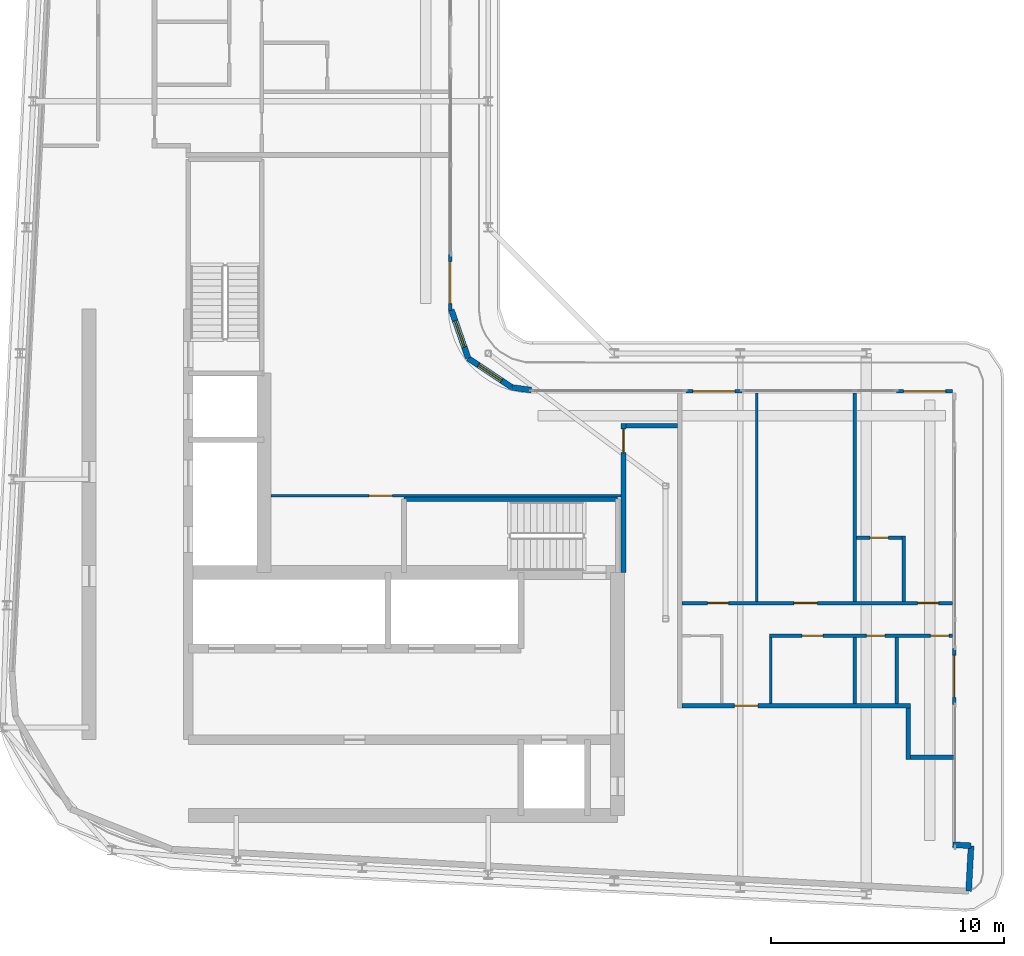
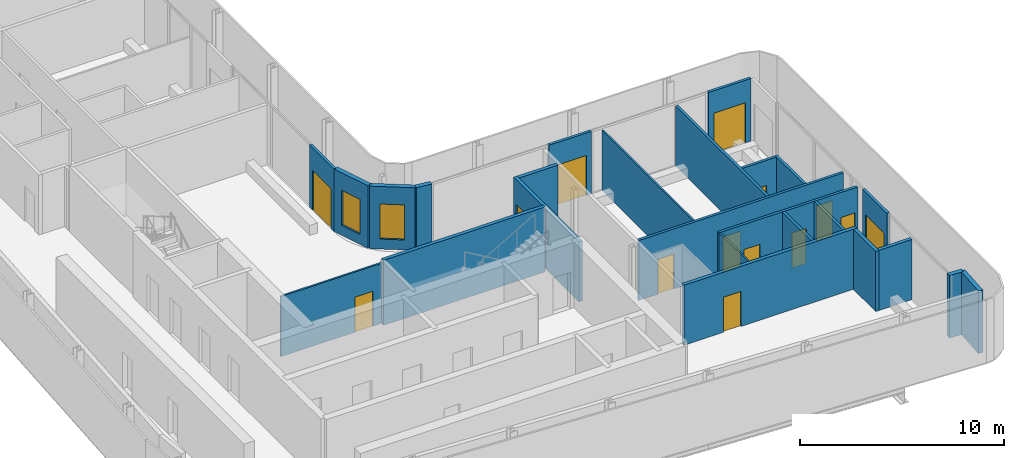
# One storey, part 12 of 21: 25 walls, 14 doors, 2 windows, 16 openings.
"""IFC4 building model written with IfcOpenShell, lengths in metres."""

from ifc_helpers import new_model, si_unit, direction, frame, frame_2d, origin, place, context, subcontext, project, spatial, rectangle, extrude, source, transform, mapped, material, layer, layer_set, type_object, element, fill, save


model = new_model("IFC4")

# Units and contexts
model_context = context("Model", 3, precision=1e-05, world=origin(), true_north=direction((0.0, 1.0)))
body_context = subcontext(model_context, "Body", "Model", "MODEL_VIEW")
ifc_project = project(units=[si_unit("LENGTHUNIT", "METRE"), si_unit("AREAUNIT", "SQUARE_METRE"), si_unit("VOLUMEUNIT", "CUBIC_METRE"), si_unit("PLANEANGLEUNIT", "RADIAN"), si_unit("MASSUNIT", "GRAM", prefix="KILO")], contexts=[model_context])

# Site, building, storey
site_placement = place(None, origin())
site = spatial("IfcSite", under=ifc_project, at=site_placement, CompositionType="ELEMENT")
building_placement = place(site_placement, origin())
building = spatial("IfcBuilding", under=site, at=building_placement, Name="Kheshtan School and Residences Tower", CompositionType="ELEMENT")
storey_placement = place(building_placement, frame((0.0, 0.0, 302.0)))
storey = spatial("IfcBuildingStorey", under=building, at=storey_placement, Name="L71", CompositionType="ELEMENT", Elevation=302.0)

# Wall, opening, door
ifc_material_1 = material(Name="Gypsum board on steel studs with fire boards", Category="steel")
ifc_layer_1 = layer(ifc_material_1, 0.199951171875)
ifc_layer_set_1 = layer_set([ifc_layer_1], Name="Corridor wall 200")
wall_type_1 = type_object("IfcWallType", Name="Corridor wall 200", PredefinedType="PARTITIONING", material=ifc_layer_set_1)
wall_1_placement = place(storey_placement, frame((53.39990234375, 36.198974609375, 0.0), z_axis=(0.0, 0.0, 1.0), x_axis=(0.0, 1.0, 0.0)))
wall_1 = element("IfcWall", 1, at=wall_1_placement, inside=storey, type_object=wall_type_1, Name="Partition L71-040", PredefinedType="PARTITIONING", context=body_context, shape_type="SweptSolid", body=[
    extrude(rectangle(XDim=6.401123046875, YDim=0.199951171875, at=frame_2d((3.20068359375, 0.0))), origin(), (0.0, 0.0, 1.0), 3.60009765625),
])
opening_1_placement = place(wall_1_placement, frame((5.15087890625, 0.0, 0.0)))
opening_1 = element("IfcOpeningElement", 2, at=opening_1_placement, cuts=wall_1, Name="Opening D70-037", PredefinedType="OPENING", context=body_context, shape_type="SweptSolid", body=[
    extrude(rectangle(XDim=1.0, YDim=2.10009765625, at=frame_2d((0.5, 1.050048828125))), frame((0.0, 0.10986328125, 0.0), z_axis=(0.0, -1.0, 0.0), x_axis=(1.0, 0.0, 0.0)), (0.0, 0.0, 1.0), 0.219970703125),
])
ifc_material_2 = material(Name="Steel-framed fire-resisting door leaf", Category="steel")
door_type_1 = type_object("IfcDoorType", Name="Fire door FD60 1000 x 2100", OperationType="SINGLE_SWING_LEFT", PredefinedType="DOOR", material=ifc_material_2)
shared_shape_1 = source(origin(), body_context, "Body", "SweptSolid", [
    extrude(rectangle(XDim=1.0, YDim=2.10009765625, at=frame_2d((0.5, 1.050048828125))), frame((0.0, 0.02490234375, 0.0), z_axis=(0.0, -1.0, 0.0), x_axis=(1.0, 0.0, 0.0)), (0.0, 0.0, 1.0), 0.050048828125),
])
door_1_placement = place(opening_1_placement, origin())
door_1 = element("IfcDoor", 3, at=door_1_placement, inside=storey, type_object=door_type_1, Name="Door D70-037", OperationType="SINGLE_SWING_LEFT", OverallHeight=2.10009765625, OverallWidth=1.0, PredefinedType="DOOR", context=body_context, shape_type="MappedRepresentation", body=[
    mapped(shared_shape_1, transform((0.0, 0.0, 0.0), x_axis=(1.0, 0.0, 0.0), y_axis=(0.0, 1.0, 0.0), z_axis=(0.0, 0.0, 1.0), scale=1.0)),
])
fill(opening_1, door_1)

# Wall
wall_2_placement = place(storey_placement, frame((53.5, 42.5, 0.0), z_axis=(0.0, 0.0, 1.0), x_axis=(1.0, 0.0, 0.0)))
element("IfcWall", 4, at=wall_2_placement, inside=storey, type_object=wall_type_1, Name="Partition L71-041", PredefinedType="PARTITIONING", context=body_context, shape_type="SweptSolid", body=[
    extrude(rectangle(XDim=2.199951171875, YDim=0.199951171875, at=frame_2d((1.10009765625, 0.0))), origin(), (0.0, 0.0, 1.0), 3.60009765625),
])

# Wall, opening, door
wall_3_placement = place(storey_placement, frame((55.89990234375, 30.5, 0.0), z_axis=(0.0, 0.0, 1.0), x_axis=(1.0, 0.0, 0.0)))
wall_3 = element("IfcWall", 5, at=wall_3_placement, inside=storey, type_object=wall_type_1, Name="Partition L71-043", PredefinedType="PARTITIONING", context=body_context, shape_type="SweptSolid", body=[
    extrude(rectangle(XDim=9.800048828125, YDim=0.199951171875, at=frame_2d((4.89990234375, 0.0))), origin(), (0.0, 0.0, 1.0), 3.60009765625),
])
opening_2_placement = place(wall_3_placement, frame((2.25, 0.0, 0.0)))
opening_2 = element("IfcOpeningElement", 6, at=opening_2_placement, cuts=wall_3, Name="Opening D70-004", PredefinedType="OPENING", context=body_context, shape_type="SweptSolid", body=[
    extrude(rectangle(XDim=1.0, YDim=2.10009765625, at=frame_2d((0.5, 1.050048828125))), frame((0.0, 0.10986328125, 0.0), z_axis=(0.0, -1.0, 0.0), x_axis=(1.0, 0.0, 0.0)), (0.0, 0.0, 1.0), 0.219970703125),
])
door_type_2 = type_object("IfcDoorType", Name="Fire door FD30S 1000 x 2100", OperationType="SINGLE_SWING_LEFT", PredefinedType="DOOR", material=ifc_material_2)
shared_shape_2 = source(origin(), body_context, "Body", "SweptSolid", [
    extrude(rectangle(XDim=1.0, YDim=2.10009765625, at=frame_2d((0.5, 1.050048828125))), frame((0.0, 0.02490234375, 0.0), z_axis=(0.0, -1.0, 0.0), x_axis=(1.0, 0.0, 0.0)), (0.0, 0.0, 1.0), 0.050048828125),
])
door_2_placement = place(opening_2_placement, origin())
door_2 = element("IfcDoor", 7, at=door_2_placement, inside=storey, type_object=door_type_2, Name="Door D70-004", OperationType="SINGLE_SWING_RIGHT", OverallHeight=2.10009765625, OverallWidth=1.0, PredefinedType="DOOR", context=body_context, shape_type="MappedRepresentation", body=[
    mapped(shared_shape_2, transform((0.0, 0.0, 0.0), x_axis=(1.0, 0.0, 0.0), y_axis=(0.0, 1.0, 0.0), z_axis=(0.0, 0.0, 1.0), scale=1.0)),
])
fill(opening_2, door_2)

# Walls
wall_4_placement = place(storey_placement, frame((65.60009765625, 28.199951171875, 0.0), z_axis=(0.0, 0.0, 1.0), x_axis=(0.0, 1.0, 0.0)))
element("IfcWall", 8, at=wall_4_placement, inside=storey, type_object=wall_type_1, Name="Partition L71-055", PredefinedType="PARTITIONING", context=body_context, shape_type="SweptSolid", body=[
    extrude(rectangle(XDim=2.199951171875, YDim=0.199951171875, at=frame_2d((1.10009765625, 0.0))), origin(), (0.0, 0.0, 1.0), 3.60009765625),
])
wall_5_placement = place(storey_placement, frame((65.699951171875, 28.300048828125, 0.0), z_axis=(0.0, 0.0, 1.0), x_axis=(1.0, 0.0, 0.0)))
element("IfcWall", 9, at=wall_5_placement, inside=storey, type_object=wall_type_1, Name="Partition L71-056", PredefinedType="PARTITIONING", context=body_context, shape_type="SweptSolid", body=[
    extrude(rectangle(XDim=1.8701171875, YDim=0.199951171875, at=frame_2d((0.93505859375, 0.0))), origin(), (0.0, 0.0, 1.0), 3.60009765625),
])

# Wall, opening, window
ifc_material_3 = material(Name="Concrete C40/50 with ceramic cladding and mineral wool insulation", Category="concrete")
ifc_layer_2 = layer(ifc_material_3, 0.25)
ifc_layer_set_2 = layer_set([ifc_layer_2], Name="External wall 250 ceramic clad")
wall_type_2 = type_object("IfcWallType", Name="External wall 250 ceramic clad", PredefinedType="SOLIDWALL", material=ifc_layer_set_2)
wall_6_placement = place(storey_placement, frame((46.01806640625, 47.470947265625, 0.0), z_axis=(0.0, 0.0, 1.0), x_axis=(0.328791208903, -0.944402637093, 0.0)))
wall_6 = element("IfcWall", 10, at=wall_6_placement, inside=storey, type_object=wall_type_2, Name="External wall L71 9", PredefinedType="SOLIDWALL", context=body_context, shape_type="SweptSolid", body=[
    extrude(rectangle(XDim=2.20458984375, YDim=0.25, at=frame_2d((1.102294921875, 0.0))), origin(), (0.0, 0.0, 1.0), 3.75),
])
opening_3_placement = place(wall_6_placement, frame((0.5029296875, 0.0, 0.60009765625)))
opening_3 = element("IfcOpeningElement", 11, at=opening_3_placement, cuts=wall_6, Name="Opening WN-E", PredefinedType="OPENING", context=body_context, shape_type="SweptSolid", body=[
    extrude(rectangle(XDim=1.199951171875, YDim=2.10009765625, at=frame_2d((0.60009765625, 1.050048828125))), frame((0.0, 0.135009765625, 0.0), z_axis=(0.0, -1.0, 0.0), x_axis=(1.0, 0.0, 0.0)), (0.0, 0.0, 1.0), 0.27001953125),
])
ifc_material_4 = material(Name="Clear low-e glass in thermally broken aluminium frame", Category="aluminium")
window_type = type_object("IfcWindowType", Name="Window WN-E", PartitioningType="SINGLE_PANEL", PredefinedType="WINDOW", material=ifc_material_4)
shared_shape_3 = source(origin(), body_context, "Body", "SweptSolid", [
    extrude(rectangle(XDim=1.199951171875, YDim=2.10009765625, at=frame_2d((0.60009765625, 1.050048828125))), frame((0.0, 0.030029296875, 0.0), z_axis=(0.0, -1.0, 0.0), x_axis=(1.0, 0.0, 0.0)), (0.0, 0.0, 1.0), 0.06005859375),
])
window_1_placement = place(opening_3_placement, origin())
window_1 = element("IfcWindow", 12, at=window_1_placement, inside=storey, type_object=window_type, Name="Window L71 9", OverallHeight=2.10009765625, OverallWidth=1.199951171875, PartitioningType="SINGLE_PANEL", PredefinedType="WINDOW", context=body_context, shape_type="MappedRepresentation", body=[
    mapped(shared_shape_3, transform((0.0, 0.0, 0.0), x_axis=(1.0, 0.0, 0.0), y_axis=(0.0, 1.0, 0.0), z_axis=(0.0, 0.0, 1.0), scale=1.0)),
])
fill(opening_3, window_1)

wall_7_placement = place(storey_placement, frame((46.742919921875, 45.388916015625, 0.0), z_axis=(0.0, 0.0, 1.0), x_axis=(0.831449265529, -0.555600682912, 0.0)))
wall_7 = element("IfcWall", 13, at=wall_7_placement, inside=storey, type_object=wall_type_2, Name="External wall L71 10", PredefinedType="SOLIDWALL", context=body_context, shape_type="SweptSolid", body=[
    extrude(rectangle(XDim=2.25146484375, YDim=0.25, at=frame_2d((1.125732421875, 0.0))), origin(), (0.0, 0.0, 1.0), 3.75),
])
opening_4_placement = place(wall_7_placement, frame((0.52490234375, 0.0, 0.60009765625)))
opening_4 = element("IfcOpeningElement", 14, at=opening_4_placement, cuts=wall_7, Name="Opening WN-E", PredefinedType="OPENING", context=body_context, shape_type="SweptSolid", body=[
    extrude(rectangle(XDim=1.199951171875, YDim=2.10009765625, at=frame_2d((0.60009765625, 1.050048828125))), frame((0.0, 0.135009765625, 0.0), z_axis=(0.0, -1.0, 0.0), x_axis=(1.0, 0.0, 0.0)), (0.0, 0.0, 1.0), 0.27001953125),
])
window_2_placement = place(opening_4_placement, origin())
window_2 = element("IfcWindow", 15, at=window_2_placement, inside=storey, type_object=window_type, Name="Window L71 10", OverallHeight=2.10009765625, OverallWidth=1.199951171875, PartitioningType="SINGLE_PANEL", PredefinedType="WINDOW", context=body_context, shape_type="MappedRepresentation", body=[
    mapped(shared_shape_3, transform((0.0, 0.0, 0.0), x_axis=(1.0, 0.0, 0.0), y_axis=(0.0, 1.0, 0.0), z_axis=(0.0, 0.0, 1.0), scale=1.0)),
])
fill(opening_4, window_2)

# Walls
wall_8_placement = place(storey_placement, frame((48.614990234375, 44.137939453125, 0.0), z_axis=(0.0, 0.0, 1.0), x_axis=(0.990741504246, -0.135761819977, 0.0)))
element("IfcWall", 16, at=wall_8_placement, inside=storey, type_object=wall_type_2, Name="External wall L71 11", PredefinedType="SOLIDWALL", context=body_context, shape_type="SweptSolid", body=[
    extrude(rectangle(XDim=0.83984375, YDim=0.25, at=frame_2d((0.419921875, 0.0))), origin(), (0.0, 0.0, 1.0), 3.75),
])
wall_9_placement = place(storey_placement, frame((67.507080078125, 24.5439453125, 0.0), z_axis=(0.0, 0.0, 1.0), x_axis=(0.998561284263, -0.053622398031, 0.0)))
element("IfcWall", 17, at=wall_9_placement, inside=storey, type_object=wall_type_2, Name="External wall L71 14", PredefinedType="SOLIDWALL", context=body_context, shape_type="SweptSolid", body=[
    extrude(rectangle(XDim=0.783203125, YDim=0.25, at=frame_2d((0.3916015625, 0.0))), origin(), (0.0, 0.0, 1.0), 3.75),
])
wall_10_placement = place(storey_placement, frame((68.2890625, 24.501953125, 0.0), z_axis=(0.0, 0.0, 1.0), x_axis=(-0.052841433274, -0.998602915542, 0.0)))
element("IfcWall", 18, at=wall_10_placement, inside=storey, type_object=wall_type_2, Name="External wall L71 15", PredefinedType="SOLIDWALL", context=body_context, shape_type="SweptSolid", body=[
    extrude(rectangle(XDim=1.94970703125, YDim=0.25, at=frame_2d((0.974853515625, 0.0))), origin(), (0.0, 0.0, 1.0), 3.75),
])

# Wall, opening, door
ifc_material_5 = material(Name="Aluminium frame wall with insulated infill", Category="aluminium")
ifc_layer_3 = layer(ifc_material_5, 0.14990234375)
ifc_layer_set_3 = layer_set([ifc_layer_3], Name="Glazing frame wall 150")
wall_type_3 = type_object("IfcWallType", Name="Glazing frame wall 150", PredefinedType="SOLIDWALL", material=ifc_layer_set_3)
wall_11_placement = place(storey_placement, frame((45.97509765625, 49.830078125, 0.0), z_axis=(0.0, 0.0, 1.0), x_axis=(0.0, -1.0, 0.0)))
wall_11 = element("IfcWall", 19, at=wall_11_placement, inside=storey, type_object=wall_type_3, Name="Balcony door wall L71 8.5", PredefinedType="SOLIDWALL", context=body_context, shape_type="SweptSolid", body=[
    extrude(rectangle(XDim=2.400146484375, YDim=0.14990234375, at=frame_2d((1.2001953125, 0.0))), origin(), (0.0, 0.0, 1.0), 3.75),
])
opening_5_placement = place(wall_11_placement, frame((0.300048828125, 0.0, 0.0)))
opening_5 = element("IfcOpeningElement", 20, at=opening_5_placement, cuts=wall_11, Name="Opening BD", PredefinedType="OPENING", context=body_context, shape_type="SweptSolid", body=[
    extrude(rectangle(XDim=1.800048828125, YDim=2.39990234375, at=frame_2d((0.89990234375, 1.199951171875))), frame((0.0, 0.0849609375, 0.0), z_axis=(0.0, -1.0, 0.0), x_axis=(1.0, 0.0, 0.0)), (0.0, 0.0, 1.0), 0.169921875),
])
door_type_3 = type_object("IfcDoorType", Name="Balcony sliding door", OperationType="SLIDING_TO_LEFT", PredefinedType="DOOR", material=ifc_material_4)
shared_shape_4 = source(origin(), body_context, "Body", "SweptSolid", [
    extrude(rectangle(XDim=1.800048828125, YDim=2.39990234375, at=frame_2d((0.89990234375, 1.199951171875))), frame((0.0, 0.02490234375, 0.0), z_axis=(0.0, -1.0, 0.0), x_axis=(1.0, 0.0, 0.0)), (0.0, 0.0, 1.0), 0.050048828125),
])
door_3_placement = place(opening_5_placement, origin())
door_3 = element("IfcDoor", 21, at=door_3_placement, inside=storey, type_object=door_type_3, Name="Balcony door L71 8.5", OperationType="SLIDING_TO_LEFT", OverallHeight=2.39990234375, OverallWidth=1.800048828125, PredefinedType="DOOR", context=body_context, shape_type="MappedRepresentation", body=[
    mapped(shared_shape_4, transform((0.0, 0.0, 0.0), x_axis=(1.0, 0.0, 0.0), y_axis=(0.0, 1.0, 0.0), z_axis=(0.0, 0.0, 1.0), scale=1.0)),
])
fill(opening_5, door_3)

wall_12_placement = place(storey_placement, frame((56.06494140625, 43.97509765625, 0.0), z_axis=(0.0, 0.0, 1.0), x_axis=(1.0, 0.0, 0.0)))
wall_12 = element("IfcWall", 22, at=wall_12_placement, inside=storey, type_object=wall_type_3, Name="Balcony door wall L71 12.1", PredefinedType="SOLIDWALL", context=body_context, shape_type="SweptSolid", body=[
    extrude(rectangle(XDim=2.400146484375, YDim=0.14990234375, at=frame_2d((1.2001953125, 0.0))), origin(), (0.0, 0.0, 1.0), 3.75),
])
opening_6_placement = place(wall_12_placement, frame((0.300048828125, 0.0, 0.0)))
opening_6 = element("IfcOpeningElement", 23, at=opening_6_placement, cuts=wall_12, Name="Opening BD", PredefinedType="OPENING", context=body_context, shape_type="SweptSolid", body=[
    extrude(rectangle(XDim=1.800048828125, YDim=2.39990234375, at=frame_2d((0.89990234375, 1.199951171875))), frame((0.0, 0.0849609375, 0.0), z_axis=(0.0, -1.0, 0.0), x_axis=(1.0, 0.0, 0.0)), (0.0, 0.0, 1.0), 0.169921875),
])
door_4_placement = place(opening_6_placement, origin())
door_4 = element("IfcDoor", 24, at=door_4_placement, inside=storey, type_object=door_type_3, Name="Balcony door L71 12.1", OperationType="SLIDING_TO_LEFT", OverallHeight=2.39990234375, OverallWidth=1.800048828125, PredefinedType="DOOR", context=body_context, shape_type="MappedRepresentation", body=[
    mapped(shared_shape_4, transform((0.0, 0.0, 0.0), x_axis=(1.0, 0.0, 0.0), y_axis=(0.0, 1.0, 0.0), z_axis=(0.0, 0.0, 1.0), scale=1.0)),
])
fill(opening_6, door_4)

wall_13_placement = place(storey_placement, frame((65.10009765625, 43.97509765625, 0.0), z_axis=(0.0, 0.0, 1.0), x_axis=(1.0, 0.0, 0.0)))
wall_13 = element("IfcWall", 25, at=wall_13_placement, inside=storey, type_object=wall_type_3, Name="Balcony door wall L71 12.2", PredefinedType="SOLIDWALL", context=body_context, shape_type="SweptSolid", body=[
    extrude(rectangle(XDim=2.39990234375, YDim=0.14990234375, at=frame_2d((1.199951171875, 0.0))), origin(), (0.0, 0.0, 1.0), 3.75),
])
opening_7_placement = place(wall_13_placement, frame((0.300048828125, 0.0, 0.0)))
opening_7 = element("IfcOpeningElement", 26, at=opening_7_placement, cuts=wall_13, Name="Opening BD", PredefinedType="OPENING", context=body_context, shape_type="SweptSolid", body=[
    extrude(rectangle(XDim=1.800048828125, YDim=2.39990234375, at=frame_2d((0.89990234375, 1.199951171875))), frame((0.0, 0.0849609375, 0.0), z_axis=(0.0, -1.0, 0.0), x_axis=(1.0, 0.0, 0.0)), (0.0, 0.0, 1.0), 0.169921875),
])
door_5_placement = place(opening_7_placement, origin())
door_5 = element("IfcDoor", 27, at=door_5_placement, inside=storey, type_object=door_type_3, Name="Balcony door L71 12.2", OperationType="SLIDING_TO_LEFT", OverallHeight=2.39990234375, OverallWidth=1.800048828125, PredefinedType="DOOR", context=body_context, shape_type="MappedRepresentation", body=[
    mapped(shared_shape_4, transform((0.0, 0.0, 0.0), x_axis=(1.0, 0.0, 0.0), y_axis=(0.0, 1.0, 0.0), z_axis=(0.0, 0.0, 1.0), scale=1.0)),
])
fill(opening_7, door_5)

wall_14_placement = place(storey_placement, frame((67.574951171875, 32.958984375, 0.0), z_axis=(0.0, 0.0, 1.0), x_axis=(0.0, -1.0, 0.0)))
wall_14 = element("IfcWall", 28, at=wall_14_placement, inside=storey, type_object=wall_type_3, Name="Balcony door wall L71 13.2", PredefinedType="SOLIDWALL", context=body_context, shape_type="SweptSolid", body=[
    extrude(rectangle(XDim=2.39990234375, YDim=0.14990234375, at=frame_2d((1.199951171875, 0.0))), origin(), (0.0, 0.0, 1.0), 3.75),
])
opening_8_placement = place(wall_14_placement, frame((0.300048828125, 0.0, 0.0)))
opening_8 = element("IfcOpeningElement", 29, at=opening_8_placement, cuts=wall_14, Name="Opening BD", PredefinedType="OPENING", context=body_context, shape_type="SweptSolid", body=[
    extrude(rectangle(XDim=1.800048828125, YDim=2.39990234375, at=frame_2d((0.89990234375, 1.199951171875))), frame((0.0, 0.0849609375, 0.0), z_axis=(0.0, -1.0, 0.0), x_axis=(1.0, 0.0, 0.0)), (0.0, 0.0, 1.0), 0.169921875),
])
door_6_placement = place(opening_8_placement, origin())
door_6 = element("IfcDoor", 30, at=door_6_placement, inside=storey, type_object=door_type_3, Name="Balcony door L71 13.2", OperationType="SLIDING_TO_LEFT", OverallHeight=2.39990234375, OverallWidth=1.800048828125, PredefinedType="DOOR", context=body_context, shape_type="MappedRepresentation", body=[
    mapped(shared_shape_4, transform((0.0, 0.0, 0.0), x_axis=(1.0, 0.0, 0.0), y_axis=(0.0, 1.0, 0.0), z_axis=(0.0, 0.0, 1.0), scale=1.0)),
])
fill(opening_8, door_6)

ifc_material_6 = material(Name="Gypsum board on steel studs", Category="steel")
ifc_layer_4 = layer(ifc_material_6, 0.10009765625)
ifc_layer_set_4 = layer_set([ifc_layer_4], Name="Gypsum partition 100")
wall_type_4 = type_object("IfcWallType", Name="Gypsum partition 100", PredefinedType="PARTITIONING", material=ifc_layer_set_4)
wall_15_placement = place(storey_placement, frame((38.299072265625, 39.5, 0.0), z_axis=(0.0, 0.0, 1.0), x_axis=(1.0, 0.0, 0.0)))
wall_15 = element("IfcWall", 31, at=wall_15_placement, inside=storey, type_object=wall_type_4, Name="Partition L71-037", PredefinedType="PARTITIONING", context=body_context, shape_type="SweptSolid", body=[
    extrude(rectangle(XDim=15.0009765625, YDim=0.10009765625, at=frame_2d((7.50048828125, 0.0))), origin(), (0.0, 0.0, 1.0), 3.60009765625),
])
opening_9_placement = place(wall_15_placement, frame((4.197021484375, 0.0, 0.0)))
opening_9 = element("IfcOpeningElement", 32, at=opening_9_placement, cuts=wall_15, Name="Opening D70-036", PredefinedType="OPENING", context=body_context, shape_type="SweptSolid", body=[
    extrude(rectangle(XDim=1.0, YDim=2.10009765625, at=frame_2d((0.5, 1.050048828125))), frame((0.0, 0.06005859375, 0.0), z_axis=(0.0, -1.0, 0.0), x_axis=(1.0, 0.0, 0.0)), (0.0, 0.0, 1.0), 0.1201171875),
])
ifc_material_7 = material(Name="Veneered timber door leaf", Category="wood")
door_type_4 = type_object("IfcDoorType", Name="Door 1000 x 2100", OperationType="SINGLE_SWING_LEFT", PredefinedType="DOOR", material=ifc_material_7)
shared_shape_5 = source(origin(), body_context, "Body", "SweptSolid", [
    extrude(rectangle(XDim=1.0, YDim=2.10009765625, at=frame_2d((0.5, 1.050048828125))), frame((0.0, 0.02490234375, 0.0), z_axis=(0.0, -1.0, 0.0), x_axis=(1.0, 0.0, 0.0)), (0.0, 0.0, 1.0), 0.050048828125),
])
door_7_placement = place(opening_9_placement, origin())
door_7 = element("IfcDoor", 33, at=door_7_placement, inside=storey, type_object=door_type_4, Name="Door D70-036", OperationType="SINGLE_SWING_LEFT", OverallHeight=2.10009765625, OverallWidth=1.0, PredefinedType="DOOR", context=body_context, shape_type="MappedRepresentation", body=[
    mapped(shared_shape_5, transform((0.0, 0.0, 0.0), x_axis=(1.0, 0.0, 0.0), y_axis=(0.0, 1.0, 0.0), z_axis=(0.0, 0.0, 1.0), scale=1.0)),
])
fill(opening_9, door_7)

# Walls
wall_16_placement = place(storey_placement, frame((59.10009765625, 34.97509765625, 0.0), z_axis=(0.0, 0.0, 1.0), x_axis=(0.0, 1.0, 0.0)))
element("IfcWall", 34, at=wall_16_placement, inside=storey, type_object=wall_type_4, Name="Partition L71-047", PredefinedType="PARTITIONING", context=body_context, shape_type="SweptSolid", body=[
    extrude(rectangle(XDim=8.9248046875, YDim=0.10009765625, at=frame_2d((4.46240234375, 0.0))), origin(), (0.0, 0.0, 1.0), 3.60009765625),
])
wall_17_placement = place(storey_placement, frame((59.699951171875, 30.60009765625, 0.0), z_axis=(0.0, 0.0, 1.0), x_axis=(0.0, 1.0, 0.0)))
element("IfcWall", 35, at=wall_17_placement, inside=storey, type_object=wall_type_4, Name="Partition L71-049", PredefinedType="PARTITIONING", context=body_context, shape_type="SweptSolid", body=[
    extrude(rectangle(XDim=2.824951171875, YDim=0.10009765625, at=frame_2d((1.41259765625, 0.0))), origin(), (0.0, 0.0, 1.0), 3.60009765625),
])
ifc_material_8 = material(Name="Concrete C40/50", Category="concrete")
ifc_layer_5 = layer(ifc_material_8, 0.199951171875)
ifc_layer_set_5 = layer_set([ifc_layer_5], Name="Stair enclosure wall 200 Concrete C40/50")
wall_type_5 = type_object("IfcWallType", Name="Stair enclosure wall 200 Concrete C40/50", PredefinedType="SHEAR", material=ifc_layer_set_5)
wall_18_placement = place(storey_placement, frame((43.989990234375, 39.35009765625, 0.0), z_axis=(0.0, 0.0, 1.0), x_axis=(1.0, 0.0, 0.0)))
element("IfcWall", 36, at=wall_18_placement, inside=storey, type_object=wall_type_5, Name="Stair enclosure wall ST1", PredefinedType="SHEAR", context=body_context, shape_type="SweptSolid", body=[
    extrude(rectangle(XDim=9.159912109375, YDim=0.199951171875, at=frame_2d((4.580078125, 0.0))), origin(), (0.0, 0.0, 1.0), 3.89990234375),
])

# Wall, openings, doors
ifc_material_9 = material(Name="Moisture-resistant gypsum board on steel studs", Category="steel")
ifc_layer_6 = layer(ifc_material_9, 0.14990234375)
ifc_layer_set_6 = layer_set([ifc_layer_6], Name="Wet-room partition 150")
wall_type_6 = type_object("IfcWallType", Name="Wet-room partition 150", PredefinedType="PARTITIONING", material=ifc_layer_set_6)
wall_19_placement = place(storey_placement, frame((55.89990234375, 34.89990234375, 0.0), z_axis=(0.0, 0.0, 1.0), x_axis=(1.0, 0.0, 0.0)))
wall_19 = element("IfcWall", 37, at=wall_19_placement, inside=storey, type_object=wall_type_6, Name="Partition L71-045", PredefinedType="PARTITIONING", context=body_context, shape_type="SweptSolid", body=[
    extrude(rectangle(XDim=11.60009765625, YDim=0.14990234375, at=frame_2d((5.800048828125, 0.0))), origin(), (0.0, 0.0, 1.0), 3.60009765625),
])
opening_10_placement = place(wall_19_placement, frame((1.10009765625, 0.0, 0.0)))
opening_10 = element("IfcOpeningElement", 38, at=opening_10_placement, cuts=wall_19, Name="Opening D70-002", PredefinedType="OPENING", context=body_context, shape_type="SweptSolid", body=[
    extrude(rectangle(XDim=0.89990234375, YDim=2.10009765625, at=frame_2d((0.449951171875, 1.050048828125))), frame((0.0, 0.0849609375, 0.0), z_axis=(0.0, -1.0, 0.0), x_axis=(1.0, 0.0, 0.0)), (0.0, 0.0, 1.0), 0.169921875),
])
opening_11_placement = place(wall_19_placement, frame((4.800048828125, 0.0, 0.0)))
opening_11 = element("IfcOpeningElement", 39, at=opening_11_placement, cuts=wall_19, Name="Opening D70-006", PredefinedType="OPENING", context=body_context, shape_type="SweptSolid", body=[
    extrude(rectangle(XDim=1.0, YDim=2.10009765625, at=frame_2d((0.5, 1.050048828125))), frame((0.0, 0.0849609375, 0.0), z_axis=(0.0, -1.0, 0.0), x_axis=(1.0, 0.0, 0.0)), (0.0, 0.0, 1.0), 0.169921875),
])
opening_12_placement = place(wall_19_placement, frame((10.10009765625, 0.0, 0.0)))
opening_12 = element("IfcOpeningElement", 40, at=opening_12_placement, cuts=wall_19, Name="Opening D70-007", PredefinedType="OPENING", context=body_context, shape_type="SweptSolid", body=[
    extrude(rectangle(XDim=0.89990234375, YDim=2.10009765625, at=frame_2d((0.449951171875, 1.050048828125))), frame((0.0, 0.0849609375, 0.0), z_axis=(0.0, -1.0, 0.0), x_axis=(1.0, 0.0, 0.0)), (0.0, 0.0, 1.0), 0.169921875),
])
door_8_placement = place(opening_11_placement, origin())
door_8 = element("IfcDoor", 41, at=door_8_placement, inside=storey, type_object=door_type_4, Name="Door D70-006", OperationType="SINGLE_SWING_LEFT", OverallHeight=2.10009765625, OverallWidth=1.0, PredefinedType="DOOR", context=body_context, shape_type="MappedRepresentation", body=[
    mapped(shared_shape_5, transform((0.0, 0.0, 0.0), x_axis=(1.0, 0.0, 0.0), y_axis=(0.0, 1.0, 0.0), z_axis=(0.0, 0.0, 1.0), scale=1.0)),
])
fill(opening_11, door_8)
door_type_5 = type_object("IfcDoorType", Name="Door 900 x 2100", OperationType="SINGLE_SWING_LEFT", PredefinedType="DOOR", material=ifc_material_7)
shared_shape_6 = source(origin(), body_context, "Body", "SweptSolid", [
    extrude(rectangle(XDim=0.89990234375, YDim=2.10009765625, at=frame_2d((0.449951171875, 1.050048828125))), frame((0.0, 0.02490234375, 0.0), z_axis=(0.0, -1.0, 0.0), x_axis=(1.0, 0.0, 0.0)), (0.0, 0.0, 1.0), 0.050048828125),
])
door_9_placement = place(opening_10_placement, origin())
door_9 = element("IfcDoor", 42, at=door_9_placement, inside=storey, type_object=door_type_5, Name="Door D70-002", OperationType="SINGLE_SWING_RIGHT", OverallHeight=2.10009765625, OverallWidth=0.89990234375, PredefinedType="DOOR", context=body_context, shape_type="MappedRepresentation", body=[
    mapped(shared_shape_6, transform((0.0, 0.0, 0.0), x_axis=(1.0, 0.0, 0.0), y_axis=(0.0, 1.0, 0.0), z_axis=(0.0, 0.0, 1.0), scale=1.0)),
])
fill(opening_10, door_9)
door_10_placement = place(opening_12_placement, origin())
door_10 = element("IfcDoor", 43, at=door_10_placement, inside=storey, type_object=door_type_5, Name="Door D70-007", OperationType="SINGLE_SWING_RIGHT", OverallHeight=2.10009765625, OverallWidth=0.89990234375, PredefinedType="DOOR", context=body_context, shape_type="MappedRepresentation", body=[
    mapped(shared_shape_6, transform((0.0, 0.0, 0.0), x_axis=(1.0, 0.0, 0.0), y_axis=(0.0, 1.0, 0.0), z_axis=(0.0, 0.0, 1.0), scale=1.0)),
])
fill(opening_12, door_10)

wall_20_placement = place(storey_placement, frame((59.64990234375, 33.5, 0.0), z_axis=(0.0, 0.0, 1.0), x_axis=(1.0, 0.0, 0.0)))
wall_20 = element("IfcWall", 44, at=wall_20_placement, inside=storey, type_object=wall_type_6, Name="Partition L71-048", PredefinedType="PARTITIONING", context=body_context, shape_type="SweptSolid", body=[
    extrude(rectangle(XDim=7.85009765625, YDim=0.14990234375, at=frame_2d((3.925048828125, 0.0))), origin(), (0.0, 0.0, 1.0), 3.60009765625),
])
opening_13_placement = place(wall_20_placement, frame((6.89990234375, 0.0, 0.0)))
opening_13 = element("IfcOpeningElement", 45, at=opening_13_placement, cuts=wall_20, Name="Opening D70-001", PredefinedType="OPENING", context=body_context, shape_type="SweptSolid", body=[
    extrude(rectangle(XDim=0.800048828125, YDim=2.10009765625, at=frame_2d((0.39990234375, 1.050048828125))), frame((0.0, 0.0849609375, 0.0), z_axis=(0.0, -1.0, 0.0), x_axis=(1.0, 0.0, 0.0)), (0.0, 0.0, 1.0), 0.169921875),
])
opening_14_placement = place(wall_20_placement, frame((1.39990234375, 0.0, 0.0)))
opening_14 = element("IfcOpeningElement", 46, at=opening_14_placement, cuts=wall_20, Name="Opening D70-005", PredefinedType="OPENING", context=body_context, shape_type="SweptSolid", body=[
    extrude(rectangle(XDim=0.89990234375, YDim=2.10009765625, at=frame_2d((0.449951171875, 1.050048828125))), frame((0.0, 0.0849609375, 0.0), z_axis=(0.0, -1.0, 0.0), x_axis=(1.0, 0.0, 0.0)), (0.0, 0.0, 1.0), 0.169921875),
])
opening_15_placement = place(wall_20_placement, frame((4.14990234375, 0.0, 0.0)))
opening_15 = element("IfcOpeningElement", 47, at=opening_15_placement, cuts=wall_20, Name="Opening D70-009", PredefinedType="OPENING", context=body_context, shape_type="SweptSolid", body=[
    extrude(rectangle(XDim=0.800048828125, YDim=2.10009765625, at=frame_2d((0.39990234375, 1.050048828125))), frame((0.0, 0.0849609375, 0.0), z_axis=(0.0, -1.0, 0.0), x_axis=(1.0, 0.0, 0.0)), (0.0, 0.0, 1.0), 0.169921875),
])
door_type_6 = type_object("IfcDoorType", Name="Door 800 x 2100", OperationType="SINGLE_SWING_LEFT", PredefinedType="DOOR", material=ifc_material_7)
shared_shape_7 = source(origin(), body_context, "Body", "SweptSolid", [
    extrude(rectangle(XDim=0.800048828125, YDim=2.10009765625, at=frame_2d((0.39990234375, 1.050048828125))), frame((0.0, 0.02490234375, 0.0), z_axis=(0.0, -1.0, 0.0), x_axis=(1.0, 0.0, 0.0)), (0.0, 0.0, 1.0), 0.050048828125),
])
door_11_placement = place(opening_13_placement, origin())
door_11 = element("IfcDoor", 48, at=door_11_placement, inside=storey, type_object=door_type_6, Name="Door D70-001", OperationType="SINGLE_SWING_RIGHT", OverallHeight=2.10009765625, OverallWidth=0.800048828125, PredefinedType="DOOR", context=body_context, shape_type="MappedRepresentation", body=[
    mapped(shared_shape_7, transform((0.0, 0.0, 0.0), x_axis=(1.0, 0.0, 0.0), y_axis=(0.0, 1.0, 0.0), z_axis=(0.0, 0.0, 1.0), scale=1.0)),
])
fill(opening_13, door_11)
door_12_placement = place(opening_15_placement, origin())
door_12 = element("IfcDoor", 49, at=door_12_placement, inside=storey, type_object=door_type_6, Name="Door D70-009", OperationType="SINGLE_SWING_LEFT", OverallHeight=2.10009765625, OverallWidth=0.800048828125, PredefinedType="DOOR", context=body_context, shape_type="MappedRepresentation", body=[
    mapped(shared_shape_7, transform((0.0, 0.0, 0.0), x_axis=(1.0, 0.0, 0.0), y_axis=(0.0, 1.0, 0.0), z_axis=(0.0, 0.0, 1.0), scale=1.0)),
])
fill(opening_15, door_12)
door_13_placement = place(opening_14_placement, origin())
door_13 = element("IfcDoor", 50, at=door_13_placement, inside=storey, type_object=door_type_5, Name="Door D70-005", OperationType="SINGLE_SWING_LEFT", OverallHeight=2.10009765625, OverallWidth=0.89990234375, PredefinedType="DOOR", context=body_context, shape_type="MappedRepresentation", body=[
    mapped(shared_shape_6, transform((0.0, 0.0, 0.0), x_axis=(1.0, 0.0, 0.0), y_axis=(0.0, 1.0, 0.0), z_axis=(0.0, 0.0, 1.0), scale=1.0)),
])
fill(opening_14, door_13)

# Walls
wall_21_placement = place(storey_placement, frame((63.300048828125, 30.60009765625, 0.0), z_axis=(0.0, 0.0, 1.0), x_axis=(0.0, 1.0, 0.0)))
element("IfcWall", 51, at=wall_21_placement, inside=storey, type_object=wall_type_6, Name="Partition L71-050", PredefinedType="PARTITIONING", context=body_context, shape_type="SweptSolid", body=[
    extrude(rectangle(XDim=2.824951171875, YDim=0.14990234375, at=frame_2d((1.41259765625, 0.0))), origin(), (0.0, 0.0, 1.0), 3.60009765625),
])
wall_22_placement = place(storey_placement, frame((63.300048828125, 34.97509765625, 0.0), z_axis=(0.0, 0.0, 1.0), x_axis=(0.0, 1.0, 0.0)))
element("IfcWall", 52, at=wall_22_placement, inside=storey, type_object=wall_type_6, Name="Partition L71-051", PredefinedType="PARTITIONING", context=body_context, shape_type="SweptSolid", body=[
    extrude(rectangle(XDim=8.9248046875, YDim=0.14990234375, at=frame_2d((4.46240234375, 0.0))), origin(), (0.0, 0.0, 1.0), 3.60009765625),
])

# Wall, opening, door
wall_23_placement = place(storey_placement, frame((63.375, 37.699951171875, 0.0), z_axis=(0.0, 0.0, 1.0), x_axis=(1.0, 0.0, 0.0)))
wall_23 = element("IfcWall", 53, at=wall_23_placement, inside=storey, type_object=wall_type_6, Name="Partition L71-052", PredefinedType="PARTITIONING", context=body_context, shape_type="SweptSolid", body=[
    extrude(rectangle(XDim=1.949951171875, YDim=0.14990234375, at=frame_2d((0.97509765625, 0.0))), origin(), (0.0, 0.0, 1.0), 3.60009765625),
])
opening_16_placement = place(wall_23_placement, frame((0.574951171875, 0.0, 0.0)))
opening_16 = element("IfcOpeningElement", 54, at=opening_16_placement, cuts=wall_23, Name="Opening D70-003", PredefinedType="OPENING", context=body_context, shape_type="SweptSolid", body=[
    extrude(rectangle(XDim=0.800048828125, YDim=2.10009765625, at=frame_2d((0.39990234375, 1.050048828125))), frame((0.0, 0.0849609375, 0.0), z_axis=(0.0, -1.0, 0.0), x_axis=(1.0, 0.0, 0.0)), (0.0, 0.0, 1.0), 0.169921875),
])
door_14_placement = place(opening_16_placement, origin())
door_14 = element("IfcDoor", 55, at=door_14_placement, inside=storey, type_object=door_type_6, Name="Door D70-003", OperationType="SINGLE_SWING_LEFT", OverallHeight=2.10009765625, OverallWidth=0.800048828125, PredefinedType="DOOR", context=body_context, shape_type="MappedRepresentation", body=[
    mapped(shared_shape_7, transform((0.0, 0.0, 0.0), x_axis=(1.0, 0.0, 0.0), y_axis=(0.0, 1.0, 0.0), z_axis=(0.0, 0.0, 1.0), scale=1.0)),
])
fill(opening_16, door_14)

# Walls
wall_24_placement = place(storey_placement, frame((65.10009765625, 30.60009765625, 0.0), z_axis=(0.0, 0.0, 1.0), x_axis=(0.0, 1.0, 0.0)))
element("IfcWall", 56, at=wall_24_placement, inside=storey, type_object=wall_type_6, Name="Partition L71-053", PredefinedType="PARTITIONING", context=body_context, shape_type="SweptSolid", body=[
    extrude(rectangle(XDim=2.824951171875, YDim=0.14990234375, at=frame_2d((1.41259765625, 0.0))), origin(), (0.0, 0.0, 1.0), 3.60009765625),
])
wall_25_placement = place(storey_placement, frame((65.39990234375, 34.97509765625, 0.0), z_axis=(0.0, 0.0, 1.0), x_axis=(0.0, 1.0, 0.0)))
element("IfcWall", 57, at=wall_25_placement, inside=storey, type_object=wall_type_6, Name="Partition L71-054", PredefinedType="PARTITIONING", context=body_context, shape_type="SweptSolid", body=[
    extrude(rectangle(XDim=2.7998046875, YDim=0.14990234375, at=frame_2d((1.39990234375, 0.0))), origin(), (0.0, 0.0, 1.0), 3.60009765625),
])

save(model, "model.ifc")
